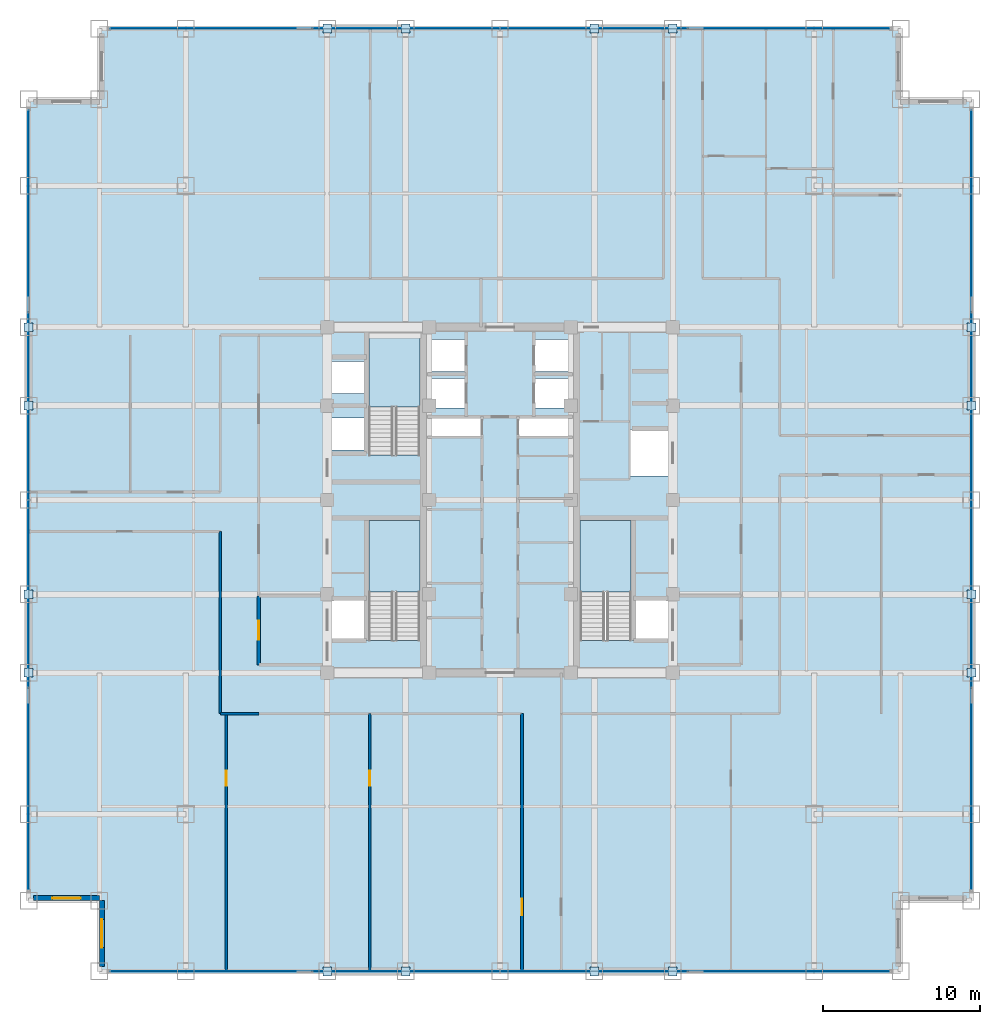
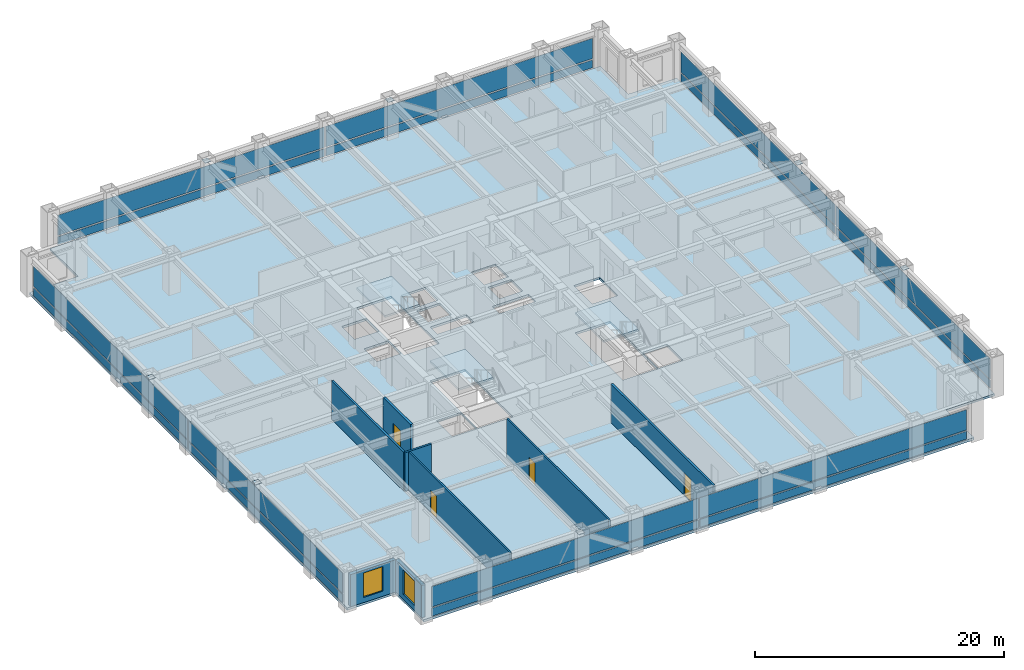
# One storey, part 19 of 24: 32 plates, 8 walls, 4 doors, 4 slabs, 2 windows, 6 openings, 7 elements without a shape of their own.
"""IFC4 building model written with IfcOpenShell, lengths in metres."""

import ifcopenshell
import ifcopenshell.guid

model = None  # the IFC model being written
_history = None  # IfcOwnerHistory: only IFC2X3 demands one
_inside = {}  # id of a spatial element -> (the spatial element, [elements in it])
_under = {}  # id of a project, library or spatial element -> (it, [spatial elements below it])
_declared = {}  # id of a project -> (the project, [libraries it declares])
_typed = {}  # id of a type object -> (the type object, [elements of that type])
_made_of = {}  # id of a material, layer set ... -> (it, [elements and type objects made of it])


def new_model(schema):
    """Start an empty IFC model of exactly this schema.

    Asked for "IFC4X3", IfcOpenShell would pick the latest addendum, in which some entities
    have other attributes; the version numbers below select the first issue.
    IFC2X3 requires an IfcOwnerHistory on every rooted entity: one is made here for all.
    """
    global model, _history
    if schema == "IFC4X3":
        model = ifcopenshell.file(schema_version=(4, 3, 0, 0))
    else:
        model = ifcopenshell.file(schema=schema)
    _inside.clear()
    _under.clear()
    _declared.clear()
    _typed.clear()
    _made_of.clear()
    _history = None
    if model.schema == "IFC2X3":
        org = make("IfcOrganization", Name="unknown")
        user = make(
            "IfcPersonAndOrganization",
            ThePerson=make("IfcPerson", FamilyName="unknown"),
            TheOrganization=org,
        )
        app = make(
            "IfcApplication",
            ApplicationDeveloper=org,
            Version="unknown",
            ApplicationFullName="unknown",
            ApplicationIdentifier="unknown",
        )
        _history = make(
            "IfcOwnerHistory",
            OwningUser=user,
            OwningApplication=app,
            ChangeAction="ADDED",
            CreationDate=0,
        )
    return model


def make(cls, **values):
    """One entity of the class cls with the attributes given. An attribute that is None is left unset."""
    return model.create_entity(
        cls, **{name: value for name, value in values.items() if value is not None}
    )


def rooted(cls, **values):
    """An entity with a GlobalId (a new one), such as an element, a storey or a relation."""
    return make(cls, GlobalId=ifcopenshell.guid.new(), OwnerHistory=_history, **values)


def si_unit(unit_type, name, prefix=None):
    """IfcSIUnit, for example si_unit("LENGTHUNIT", "METRE", prefix="MILLI")."""
    return make("IfcSIUnit", UnitType=unit_type, Prefix=prefix, Name=name)


def assignment(units):
    """IfcUnitAssignment: the units of a project."""
    return None if units is None else make("IfcUnitAssignment", Units=units)


def point(xyz):
    """IfcCartesianPoint."""
    return None if xyz is None else make("IfcCartesianPoint", Coordinates=xyz)


def direction(xyz):
    """IfcDirection."""
    return None if xyz is None else make("IfcDirection", DirectionRatios=xyz)


def frame(location, z_axis=None, x_axis=None):
    """IfcAxis2Placement3D, a coordinate frame: its origin and axes. An axis left out is left unset."""
    return make(
        "IfcAxis2Placement3D",
        Location=point(location),
        Axis=direction(z_axis),
        RefDirection=direction(x_axis),
    )


def frame_2d(location, x_axis=None):
    """IfcAxis2Placement2D, a coordinate frame in the plane: its origin and x axis."""
    return make(
        "IfcAxis2Placement2D", Location=point(location), RefDirection=direction(x_axis)
    )


def origin():
    """The frame at (0, 0, 0) with its axes left unset."""
    return frame((0.0, 0.0, 0.0))


def origin_2d():
    """The frame at (0, 0) in the plane with its x axis left unset."""
    return frame_2d((0.0, 0.0))


def place(relative_to, where):
    """IfcLocalPlacement: puts the frame where relative to a parent placement (None: the world)."""
    return make(
        "IfcLocalPlacement", PlacementRelTo=relative_to, RelativePlacement=where
    )


def context(
    kind, dimensions, precision=None, world=None, true_north=None, identifier=None
):
    """IfcGeometricRepresentationContext, for example the 3D "Model" context."""
    return make(
        "IfcGeometricRepresentationContext",
        ContextIdentifier=identifier,
        ContextType=kind,
        CoordinateSpaceDimension=dimensions,
        Precision=precision,
        WorldCoordinateSystem=world,
        TrueNorth=true_north,
    )


def subcontext(parent, identifier, kind, view, scale=None):
    """IfcGeometricRepresentationSubContext, for example "Body" below "Model"."""
    return make(
        "IfcGeometricRepresentationSubContext",
        ContextIdentifier=identifier,
        ContextType=kind,
        ParentContext=parent,
        TargetScale=scale,
        TargetView=view,
    )


def project(units=None, contexts=None):
    """IfcProject with its units and contexts."""
    return rooted(
        "IfcProject",
        Name="project",
        RepresentationContexts=contexts,
        UnitsInContext=assignment(units),
    )


def spatial(cls, under=None, at=None, **own):
    """A site, building, storey or space (cls), placed at a placement, below another one or the project."""
    s = rooted(cls, ObjectPlacement=at, **own)
    if under is not None:
        _under.setdefault(under.id(), (under, []))[1].append(s)
    return s


def polyline(points):
    """IfcPolyline through the points."""
    return make("IfcPolyline", Points=[point(p) for p in points])


def profile(cls, at=None, kind="AREA", **sizes):
    """A parametric profile (cls). Its sizes go by their IFC names, for example OverallWidth=200.0."""
    return make(cls, ProfileType=kind, Position=at, **sizes)


def rectangle(**sizes):
    """IfcRectangleProfileDef."""
    return profile("IfcRectangleProfileDef", **sizes)


def outline(outer, holes=None, kind="AREA"):
    """IfcArbitraryClosedProfileDef: a profile drawn as a closed curve; with holes, ...WithVoids."""
    if holes is None:
        return make("IfcArbitraryClosedProfileDef", ProfileType=kind, OuterCurve=outer)
    return make(
        "IfcArbitraryProfileDefWithVoids",
        ProfileType=kind,
        OuterCurve=outer,
        InnerCurves=holes,
    )


def extrude(swept, where, along, depth):
    """IfcExtrudedAreaSolid: the profile swept, set in the frame where, extruded along a direction by depth."""
    return make(
        "IfcExtrudedAreaSolid",
        SweptArea=swept,
        Position=where,
        ExtrudedDirection=direction(along),
        Depth=depth,
    )


def shape(context_of_items, identifier, shape_type, items):
    """IfcShapeRepresentation: the items that make up one representation, for example the "Body"."""
    return make(
        "IfcShapeRepresentation",
        ContextOfItems=context_of_items,
        RepresentationIdentifier=identifier,
        RepresentationType=shape_type,
        Items=items,
    )


def source(mapping_origin, context_of_items, identifier, shape_type, items):
    """IfcRepresentationMap: a shape defined once, which mapped items show again and again."""
    return make(
        "IfcRepresentationMap",
        MappingOrigin=mapping_origin,
        MappedRepresentation=shape(context_of_items, identifier, shape_type, items),
    )


def transform(
    local_origin,
    x_axis=None,
    y_axis=None,
    z_axis=None,
    scale=None,
    scale2=None,
    scale3=None,
    uniform=True,
):
    """IfcCartesianTransformationOperator3D, or its non-uniform kind. x_axis, y_axis, z_axis: its Axis1, 2, 3."""
    if uniform:
        return make(
            "IfcCartesianTransformationOperator3D",
            Axis1=direction(x_axis),
            Axis2=direction(y_axis),
            LocalOrigin=point(local_origin),
            Scale=scale,
            Axis3=direction(z_axis),
        )
    return make(
        "IfcCartesianTransformationOperator3DnonUniform",
        Axis1=direction(x_axis),
        Axis2=direction(y_axis),
        LocalOrigin=point(local_origin),
        Scale=scale,
        Axis3=direction(z_axis),
        Scale2=scale2,
        Scale3=scale3,
    )


def mapped(mapping_source, mapping_target):
    """IfcMappedItem: shows the shape of a source again, moved by a transform."""
    return make(
        "IfcMappedItem", MappingSource=mapping_source, MappingTarget=mapping_target
    )


def material(Name=None, Category=None):
    """IfcMaterial."""
    return make("IfcMaterial", Name=Name, Category=Category)


def layer(
    of_material, thickness, ventilated=None, Name=None, Category=None, Priority=None
):
    """IfcMaterialLayer: one layer of a wall or slab, of a material (None: an air gap)."""
    return make(
        "IfcMaterialLayer",
        Material=of_material,
        LayerThickness=thickness,
        IsVentilated=ventilated,
        Name=Name,
        Category=Category,
        Priority=Priority,
    )


def layer_set(layers, Name=None):
    """IfcMaterialLayerSet."""
    return make("IfcMaterialLayerSet", MaterialLayers=layers, LayerSetName=Name)


def made_of(thing, what):
    """Note that an element or type object is made of a material, layer set ...; save() writes the relation."""
    if what is not None:
        _made_of.setdefault(what.id(), (what, []))[1].append(thing)
    return thing


def type_object(cls, material=None, **own):
    """A type object (cls), such as IfcWallType, which elements share."""
    return made_of(rooted(cls, **own), material)


def element(
    cls,
    number,
    at=None,
    inside=None,
    cuts=None,
    type_object=None,
    material=None,
    context=None,
    identifier="Body",
    shape_type=None,
    held_by="IfcProductDefinitionShape",
    body=None,
    shapes=None,
    **own,
):
    """One element of the class cls, such as IfcWall. Its Tag is "e" and its number.

    at: its placement. inside: the storey or other place that contains it. cuts: it is an
    opening in that element (IfcRelVoidsElement). A single representation is given by context,
    identifier, shape_type and body (its items); several are given by shapes. held_by: the class
    of the entity that holds the representations. save() writes the other relations.
    """
    e = rooted(cls, Tag="e%d" % number, ObjectPlacement=at, **own)
    if body is not None:
        shapes = [shape(context, identifier, shape_type, body)]
    if shapes is not None:
        e.Representation = make(held_by, Representations=shapes)
    if inside is not None:
        _inside.setdefault(inside.id(), (inside, []))[1].append(e)
    if cuts is not None:
        rooted(
            "IfcRelVoidsElement", RelatingBuildingElement=cuts, RelatedOpeningElement=e
        )
    if type_object is not None:
        _typed.setdefault(type_object.id(), (type_object, []))[1].append(e)
    return made_of(e, material)


def fill(opening, filler):
    """IfcRelFillsElement: the door or window that sits in an opening."""
    return rooted(
        "IfcRelFillsElement",
        RelatingOpeningElement=opening,
        RelatedBuildingElement=filler,
    )


def aggregate(whole, parts):
    """IfcRelAggregates: a whole, such as a stair, and the parts it consists of."""
    return rooted("IfcRelAggregates", RelatingObject=whole, RelatedObjects=parts)


def save(model, path):
    """Write the relations noted so far, then the file.

    IfcRelAggregates (storeys below a building ...), IfcRelContainedInSpatialStructure (elements
    in a storey), IfcRelDefinesByType, IfcRelAssociatesMaterial and IfcRelDeclares: one each for
    every whole, place, type object, material and project.
    """
    for whole, parts in _under.values():
        aggregate(whole, parts)
    for where, things in _inside.values():
        rooted(
            "IfcRelContainedInSpatialStructure",
            RelatedElements=things,
            RelatingStructure=where,
        )
    for kind, things in _typed.values():
        rooted("IfcRelDefinesByType", RelatedObjects=things, RelatingType=kind)
    for what, things in _made_of.values():
        rooted("IfcRelAssociatesMaterial", RelatedObjects=things, RelatingMaterial=what)
    for by, libraries in _declared.values():
        rooted("IfcRelDeclares", RelatingContext=by, RelatedDefinitions=libraries)
    model.write(path)


model = new_model("IFC4")

# Units and contexts
model_context = context("Model", 3, precision=1e-05, world=origin(), true_north=direction((0.0, 1.0)))
body_context = subcontext(model_context, "Body", "Model", "MODEL_VIEW")
ifc_project = project(units=[si_unit("LENGTHUNIT", "METRE"), si_unit("AREAUNIT", "SQUARE_METRE"), si_unit("VOLUMEUNIT", "CUBIC_METRE"), si_unit("PLANEANGLEUNIT", "RADIAN"), si_unit("MASSUNIT", "GRAM", prefix="KILO")], contexts=[model_context])

# Site, building, storey
site_placement = place(None, origin())
site = spatial("IfcSite", under=ifc_project, at=site_placement, CompositionType="ELEMENT")
building_placement = place(site_placement, origin())
building = spatial("IfcBuilding", under=site, at=building_placement, Name="Khorayat Bourse Tower", CompositionType="ELEMENT")
storey_placement = place(building_placement, frame((0.0, 0.0, 203.10009765625)))
storey = spatial("IfcBuildingStorey", under=building, at=storey_placement, Name="L47", CompositionType="ELEMENT", Elevation=203.10009765625)

# Stair, slab
ifc_material_1 = material(Name="Concrete C40/50", Category="concrete")
stair_type = type_object("IfcStairType", Name="STR-CORE-1550", PredefinedType="HALF_TURN_STAIR", material=ifc_material_1)
stair_1_placement = place(storey_placement, origin())
stair_1 = element("IfcStair", 1, at=stair_1_placement, inside=storey, type_object=stair_type, Name="L47 Exit Stair ST-1", PredefinedType="HALF_TURN_STAIR")
ifc_layer_1 = layer(ifc_material_1, 0.199951171875)
ifc_layer_set_1 = layer_set([ifc_layer_1], Name="Concrete C40/50")
slab_type_1 = type_object("IfcSlabType", Name="SLB-LANDING-200", PredefinedType="LANDING", material=ifc_layer_set_1)
slab_1_placement = place(storey_placement, frame((0.0, 0.0, 1.7998046875)))
slab_1 = element("IfcSlab", 2, at=slab_1_placement, type_object=slab_type_1, Name="ST-1 landing 1", PredefinedType="LANDING", context=body_context, shape_type="SweptSolid", body=[
    extrude(outline(polyline([(-5.10009765625, -5.8701171875), (-5.10009765625, -1.300048828125), (-8.35009765625, -1.300048828125), (-8.35009765625, -5.8701171875), (-5.10009765625, -5.8701171875)])), origin(), (0.0, 0.0, 1.0), 0.2001953125),
])
aggregate(stair_1, [slab_1])

stair_2_placement = place(storey_placement, origin())
stair_2 = element("IfcStair", 3, at=stair_2_placement, inside=storey, type_object=stair_type, Name="L47 Exit Stair ST-2", PredefinedType="HALF_TURN_STAIR")
slab_2_placement = place(storey_placement, frame((0.0, 0.0, 1.7998046875)))
slab_2 = element("IfcSlab", 4, at=slab_2_placement, type_object=slab_type_1, Name="ST-2 landing 1", PredefinedType="LANDING", context=body_context, shape_type="SweptSolid", body=[
    extrude(outline(polyline([(-5.10009765625, 5.929931640625), (-5.10009765625, 10.5), (-8.35009765625, 10.5), (-8.35009765625, 5.929931640625), (-5.10009765625, 5.929931640625)])), origin(), (0.0, 0.0, 1.0), 0.2001953125),
])
aggregate(stair_2, [slab_2])

stair_3_placement = place(storey_placement, origin())
stair_3 = element("IfcStair", 5, at=stair_3_placement, inside=storey, type_object=stair_type, Name="L47 Exit Stair ST-3", PredefinedType="HALF_TURN_STAIR")
slab_3_placement = place(storey_placement, frame((0.0, 0.0, 1.7998046875)))
slab_3 = element("IfcSlab", 6, at=slab_3_placement, type_object=slab_type_1, Name="ST-3 landing 1", PredefinedType="LANDING", context=body_context, shape_type="SweptSolid", body=[
    extrude(outline(polyline([(8.35009765625, -5.8701171875), (8.35009765625, -1.300048828125), (5.10009765625, -1.300048828125), (5.10009765625, -5.8701171875), (8.35009765625, -5.8701171875)])), origin(), (0.0, 0.0, 1.0), 0.2001953125),
])
aggregate(stair_3, [slab_3])

# Slab
ifc_layer_2 = layer(ifc_material_1, 0.219970703125)
ifc_layer_set_2 = layer_set([ifc_layer_2], Name="Concrete C40/50")
slab_type_2 = type_object("IfcSlabType", Name="SLB-OFFICE-220", PredefinedType="FLOOR", material=ifc_layer_set_2)
slab_4_placement = place(storey_placement, frame((0.0, 0.0, -0.22021484375)))
element("IfcSlab", 7, at=slab_4_placement, inside=storey, type_object=slab_type_2, Name="L47 Main Floor Slab", PredefinedType="FLOOR", context=body_context, shape_type="SweptSolid", body=[
    extrude(outline(polyline([(-25.5, -30.0), (25.5, -30.0), (25.5, -25.5), (30.0, -25.5), (30.0, 25.5), (25.5, 25.5), (25.5, 30.0), (-25.5, 30.0), (-25.5, 25.5), (-30.0, 25.5), (-30.0, -25.5), (-25.5, -25.5), (-25.5, -30.0)]), holes=[polyline([(-8.35009765625, -8.945068359375), (-5.10009765625, -8.945068359375), (-5.10009765625, -1.300048828125), (-8.35009765625, -1.300048828125), (-8.35009765625, -8.945068359375)]), polyline([(-8.35009765625, 2.85498046875), (-5.10009765625, 2.85498046875), (-5.10009765625, 10.5), (-8.35009765625, 10.5), (-8.35009765625, 2.85498046875)]), polyline([(5.10009765625, -8.945068359375), (8.35009765625, -8.945068359375), (8.35009765625, -1.300048828125), (5.10009765625, -1.300048828125), (5.10009765625, -8.945068359375)]), polyline([(-4.3798828125, 8.169921875), (-2.1201171875, 8.169921875), (-2.1201171875, 10.22998046875), (-4.3798828125, 10.22998046875), (-4.3798828125, 8.169921875)]), polyline([(2.1201171875, 8.169921875), (4.3798828125, 8.169921875), (4.3798828125, 10.22998046875), (2.1201171875, 10.22998046875), (2.1201171875, 8.169921875)]), polyline([(-4.3798828125, 5.8701171875), (-2.219970703125, 5.8701171875), (-2.219970703125, 7.72998046875), (-4.3798828125, 7.72998046875), (-4.3798828125, 5.8701171875)]), polyline([(2.219970703125, 5.8701171875), (4.3798828125, 5.8701171875), (4.3798828125, 7.72998046875), (2.219970703125, 7.72998046875), (2.219970703125, 5.8701171875)]), polyline([(-10.679931640625, 3.169921875), (-8.419921875, 3.169921875), (-8.419921875, 5.22998046875), (-10.679931640625, 5.22998046875), (-10.679931640625, 3.169921875)]), polyline([(-10.679931640625, 6.77001953125), (-8.419921875, 6.77001953125), (-8.419921875, 8.830078125), (-10.679931640625, 8.830078125), (-10.679931640625, 6.77001953125)]), polyline([(-10.679931640625, -8.929931640625), (-8.419921875, -8.929931640625), (-8.419921875, -6.3701171875), (-10.679931640625, -6.3701171875), (-10.679931640625, -8.929931640625)]), polyline([(8.419921875, -8.929931640625), (10.679931640625, -8.929931640625), (10.679931640625, -6.3701171875), (8.419921875, -6.3701171875), (8.419921875, -8.929931640625)]), polyline([(8.320068359375, 1.52001953125), (10.679931640625, 1.52001953125), (10.679931640625, 4.47998046875), (8.320068359375, 4.47998046875), (8.320068359375, 1.52001953125)]), polyline([(-4.56005859375, 4.080078125), (-1.18994140625, 4.080078125), (-1.18994140625, 5.219970703125), (-4.56005859375, 5.219970703125), (-4.56005859375, 4.080078125)]), polyline([(1.18994140625, 4.080078125), (4.56005859375, 4.080078125), (4.56005859375, 5.219970703125), (1.18994140625, 5.219970703125), (1.18994140625, 4.080078125)])]), origin(), (0.0, 0.0, 1.0), 0.22021484375),
])

# Plates
ifc_material_2 = material(Name="Steel EN 10025-2 S355J2", Category="steel")
ifc_layer_3 = layer(ifc_material_2, 0.02490234375)
ifc_layer_set_3 = layer_set([ifc_layer_3], Name="Steel EN 10025-2 S355J2")
plate_type_1 = type_object("IfcPlateType", Name="PLT-ENDCAP-25", PredefinedType="SHEET", material=ifc_layer_set_3)
shared_shape_1 = source(origin(), body_context, "Body", "SweptSolid", [
    extrude(rectangle(XDim=0.56005859375, YDim=0.56005859375, at=origin_2d()), origin(), (0.0, 0.0, 1.0), 0.02490234375),
])
for number, where, z_axis, x_axis, name in (
    (8, (-11.0, -30.0, 3.517333984375), (0.0, 0.0, 1.0), (1.0, 0.0, 0.0), "L47 Perimeter Brace End Plate 001"),
    (9, (-6.0, -30.0, 0.237548828125), (0.0, 0.0, 1.0), (1.0, 0.0, 0.0), "L47 Perimeter Brace End Plate 002"),
    (10, (6.0, -30.0, 3.517333984375), (0.0, 0.0, 1.0), (1.0, 0.0, 0.0), "L47 Perimeter Brace End Plate 003"),
    (11, (11.0, -30.0, 0.237548828125), (0.0, 0.0, 1.0), (1.0, 0.0, 0.0), "L47 Perimeter Brace End Plate 004"),
    (12, (-11.0, 30.0, 3.517333984375), (0.0, 0.0, 1.0), (1.0, 0.0, 0.0), "L47 Perimeter Brace End Plate 005"),
    (13, (-6.0, 30.0, 0.237548828125), (0.0, 0.0, 1.0), (1.0, 0.0, 0.0), "L47 Perimeter Brace End Plate 006"),
    (14, (6.0, 30.0, 3.517333984375), (0.0, 0.0, 1.0), (1.0, 0.0, 0.0), "L47 Perimeter Brace End Plate 007"),
    (15, (11.0, 30.0, 0.237548828125), (0.0, 0.0, 1.0), (1.0, 0.0, 0.0), "L47 Perimeter Brace End Plate 008"),
    (16, (-30.0, -11.0, 3.517333984375), (0.0, 0.0, 1.0), (1.0, 0.0, 0.0), "L47 Perimeter Brace End Plate 009"),
    (17, (-30.0, -6.0, 0.237548828125), (0.0, 0.0, 1.0), (1.0, 0.0, 0.0), "L47 Perimeter Brace End Plate 010"),
    (18, (-30.0, 6.0, 3.517333984375), (0.0, 0.0, 1.0), (1.0, 0.0, 0.0), "L47 Perimeter Brace End Plate 011"),
    (19, (-30.0, 11.0, 0.237548828125), (0.0, 0.0, 1.0), (1.0, 0.0, 0.0), "L47 Perimeter Brace End Plate 012"),
    (20, (30.0, -11.0, 3.517333984375), (0.0, 0.0, 1.0), (1.0, 0.0, 0.0), "L47 Perimeter Brace End Plate 013"),
    (21, (30.0, -6.0, 0.237548828125), (0.0, 0.0, 1.0), (1.0, 0.0, 0.0), "L47 Perimeter Brace End Plate 014"),
    (22, (30.0, 6.0, 3.517333984375), (0.0, 0.0, 1.0), (1.0, 0.0, 0.0), "L47 Perimeter Brace End Plate 015"),
    (23, (30.0, 11.0, 0.237548828125), (0.0, 0.0, 1.0), (1.0, 0.0, 0.0), "L47 Perimeter Brace End Plate 016"),
):
    element("IfcPlate", number, at=place(storey_placement, frame(where, z_axis=z_axis, x_axis=x_axis)), inside=storey, type_object=plate_type_1, Name=name, PredefinedType="SHEET", context=body_context, shape_type="MappedRepresentation", body=[
        mapped(shared_shape_1, transform((0.0, 0.0, 0.0), scale=1.0)),
    ])

# Curtain wall, plates
ifc_material_3 = material(Name="Aluminium EN AW-6063 T6", Category="aluminium")
curtain_wall_type = type_object("IfcCurtainWallType", Name="CW-SYS-03", PredefinedType="NOTDEFINED", material=ifc_material_3)
curtain_wall_1_placement = place(storey_placement, origin())
curtain_wall_1 = element("IfcCurtainWall", 24, at=curtain_wall_1_placement, inside=storey, type_object=curtain_wall_type, Name="L47 Curtain Wall CW-L47-S1", PredefinedType="NOTDEFINED")
ifc_material_4 = material(Name="Honed desert limestone insulated spandrel", Category="masonry")
ifc_layer_4 = layer(ifc_material_4, 0.06494140625)
ifc_layer_set_4 = layer_set([ifc_layer_4], Name="Honed desert limestone insulated spandrel")
plate_type_2 = type_object("IfcPlateType", Name="CWP-SPAND-03", PredefinedType="CURTAIN_PANEL", material=ifc_layer_set_4)
shared_shape_2 = source(origin(), body_context, "Body", "SweptSolid", [
    extrude(rectangle(XDim=24.719970703125, YDim=0.06494140625, at=origin_2d()), origin(), (0.0, 0.0, 1.0), 0.77001953125),
])
plate_1_placement = place(storey_placement, frame((-12.419921875, -30.0, 0.119873046875), z_axis=(0.0, 0.0, 1.0), x_axis=(1.0, 0.0, 0.0)))
plate_1 = element("IfcPlate", 25, at=plate_1_placement, type_object=plate_type_2, Name="CW-L47-S1 Spandrel Panel 1-1", PredefinedType="CURTAIN_PANEL", context=body_context, shape_type="MappedRepresentation", body=[
    mapped(shared_shape_2, transform((0.0, 0.0, 0.0), scale=1.0)),
])
plate_2_placement = place(storey_placement, frame((12.419921875, -30.0, 0.119873046875), z_axis=(0.0, 0.0, 1.0), x_axis=(1.0, 0.0, 0.0)))
plate_2 = element("IfcPlate", 26, at=plate_2_placement, type_object=plate_type_2, Name="CW-L47-S1 Spandrel Panel 2-1", PredefinedType="CURTAIN_PANEL", context=body_context, shape_type="MappedRepresentation", body=[
    mapped(shared_shape_2, transform((0.0, 0.0, 0.0), scale=1.0)),
])

curtain_wall_2_placement = place(storey_placement, origin())
curtain_wall_2 = element("IfcCurtainWall", 27, at=curtain_wall_2_placement, inside=storey, type_object=curtain_wall_type, Name="L47 Curtain Wall CW-L47-N1", PredefinedType="NOTDEFINED")
plate_3_placement = place(storey_placement, frame((-12.419921875, 30.0, 0.119873046875), z_axis=(0.0, 0.0, 1.0), x_axis=(1.0, 0.0, 0.0)))
plate_3 = element("IfcPlate", 28, at=plate_3_placement, type_object=plate_type_2, Name="CW-L47-N1 Spandrel Panel 1-1", PredefinedType="CURTAIN_PANEL", context=body_context, shape_type="MappedRepresentation", body=[
    mapped(shared_shape_2, transform((0.0, 0.0, 0.0), scale=1.0)),
])
plate_4_placement = place(storey_placement, frame((12.419921875, 30.0, 0.119873046875), z_axis=(0.0, 0.0, 1.0), x_axis=(1.0, 0.0, 0.0)))
plate_4 = element("IfcPlate", 29, at=plate_4_placement, type_object=plate_type_2, Name="CW-L47-N1 Spandrel Panel 2-1", PredefinedType="CURTAIN_PANEL", context=body_context, shape_type="MappedRepresentation", body=[
    mapped(shared_shape_2, transform((0.0, 0.0, 0.0), scale=1.0)),
])

curtain_wall_3_placement = place(storey_placement, origin())
curtain_wall_3 = element("IfcCurtainWall", 30, at=curtain_wall_3_placement, inside=storey, type_object=curtain_wall_type, Name="L47 Curtain Wall CW-L47-W1", PredefinedType="NOTDEFINED")
plate_5_placement = place(storey_placement, frame((-30.0, -12.419921875, 0.119873046875), z_axis=(0.0, 0.0, 1.0), x_axis=(0.0, 1.0, 0.0)))
plate_5 = element("IfcPlate", 31, at=plate_5_placement, type_object=plate_type_2, Name="CW-L47-W1 Spandrel Panel 1-1", PredefinedType="CURTAIN_PANEL", context=body_context, shape_type="MappedRepresentation", body=[
    mapped(shared_shape_2, transform((0.0, 0.0, 0.0), scale=1.0)),
])
plate_6_placement = place(storey_placement, frame((-30.0, 12.419921875, 0.119873046875), z_axis=(0.0, 0.0, 1.0), x_axis=(0.0, 1.0, 0.0)))
plate_6 = element("IfcPlate", 32, at=plate_6_placement, type_object=plate_type_2, Name="CW-L47-W1 Spandrel Panel 2-1", PredefinedType="CURTAIN_PANEL", context=body_context, shape_type="MappedRepresentation", body=[
    mapped(shared_shape_2, transform((0.0, 0.0, 0.0), scale=1.0)),
])

curtain_wall_4_placement = place(storey_placement, origin())
curtain_wall_4 = element("IfcCurtainWall", 33, at=curtain_wall_4_placement, inside=storey, type_object=curtain_wall_type, Name="L47 Curtain Wall CW-L47-E1", PredefinedType="NOTDEFINED")
plate_7_placement = place(storey_placement, frame((30.0, -12.419921875, 0.119873046875), z_axis=(0.0, 0.0, 1.0), x_axis=(0.0, 1.0, 0.0)))
plate_7 = element("IfcPlate", 34, at=plate_7_placement, type_object=plate_type_2, Name="CW-L47-E1 Spandrel Panel 1-1", PredefinedType="CURTAIN_PANEL", context=body_context, shape_type="MappedRepresentation", body=[
    mapped(shared_shape_2, transform((0.0, 0.0, 0.0), scale=1.0)),
])
plate_8_placement = place(storey_placement, frame((30.0, 12.419921875, 0.119873046875), z_axis=(0.0, 0.0, 1.0), x_axis=(0.0, 1.0, 0.0)))
plate_8 = element("IfcPlate", 35, at=plate_8_placement, type_object=plate_type_2, Name="CW-L47-E1 Spandrel Panel 2-1", PredefinedType="CURTAIN_PANEL", context=body_context, shape_type="MappedRepresentation", body=[
    mapped(shared_shape_2, transform((0.0, 0.0, 0.0), scale=1.0)),
])

# Plate
ifc_material_5 = material(Name="Low-E solar-control laminated double glazing", Category="glass")
ifc_layer_5 = layer(ifc_material_5, 0.035888671875)
ifc_layer_set_5 = layer_set([ifc_layer_5], Name="Low-E solar-control laminated double glazing")
plate_type_3 = type_object("IfcPlateType", Name="CWP-VIS-01", PredefinedType="CURTAIN_PANEL", material=ifc_layer_set_5)
shared_shape_3 = source(origin(), body_context, "Body", "SweptSolid", [
    extrude(rectangle(XDim=24.719970703125, YDim=0.035888671875, at=origin_2d()), origin(), (0.0, 0.0, 1.0), 2.0),
])
plate_9_placement = place(storey_placement, frame((-12.419921875, -30.0, 1.010009765625), z_axis=(0.0, 0.0, 1.0), x_axis=(1.0, 0.0, 0.0)))
plate_9 = element("IfcPlate", 36, at=plate_9_placement, type_object=plate_type_3, Name="CW-L47-S1 Vision Panel 1-2", PredefinedType="CURTAIN_PANEL", context=body_context, shape_type="MappedRepresentation", body=[
    mapped(shared_shape_3, transform((0.0, 0.0, 0.0), scale=1.0)),
])

plate_10_placement = place(storey_placement, frame((12.419921875, -30.0, 1.010009765625), z_axis=(0.0, 0.0, 1.0), x_axis=(1.0, 0.0, 0.0)))
plate_10 = element("IfcPlate", 37, at=plate_10_placement, type_object=plate_type_3, Name="CW-L47-S1 Vision Panel 2-2", PredefinedType="CURTAIN_PANEL", context=body_context, shape_type="MappedRepresentation", body=[
    mapped(shared_shape_3, transform((0.0, 0.0, 0.0), scale=1.0)),
])

aggregate(curtain_wall_1, [plate_1, plate_9, plate_2, plate_10])

plate_11_placement = place(storey_placement, frame((-12.419921875, 30.0, 1.010009765625), z_axis=(0.0, 0.0, 1.0), x_axis=(1.0, 0.0, 0.0)))
plate_11 = element("IfcPlate", 38, at=plate_11_placement, type_object=plate_type_3, Name="CW-L47-N1 Vision Panel 1-2", PredefinedType="CURTAIN_PANEL", context=body_context, shape_type="MappedRepresentation", body=[
    mapped(shared_shape_3, transform((0.0, 0.0, 0.0), scale=1.0)),
])

plate_12_placement = place(storey_placement, frame((12.419921875, 30.0, 1.010009765625), z_axis=(0.0, 0.0, 1.0), x_axis=(1.0, 0.0, 0.0)))
plate_12 = element("IfcPlate", 39, at=plate_12_placement, type_object=plate_type_3, Name="CW-L47-N1 Vision Panel 2-2", PredefinedType="CURTAIN_PANEL", context=body_context, shape_type="MappedRepresentation", body=[
    mapped(shared_shape_3, transform((0.0, 0.0, 0.0), scale=1.0)),
])

aggregate(curtain_wall_2, [plate_3, plate_11, plate_4, plate_12])

plate_13_placement = place(storey_placement, frame((-30.0, -12.419921875, 1.010009765625), z_axis=(0.0, 0.0, 1.0), x_axis=(0.0, 1.0, 0.0)))
plate_13 = element("IfcPlate", 40, at=plate_13_placement, type_object=plate_type_3, Name="CW-L47-W1 Vision Panel 1-2", PredefinedType="CURTAIN_PANEL", context=body_context, shape_type="MappedRepresentation", body=[
    mapped(shared_shape_3, transform((0.0, 0.0, 0.0), scale=1.0)),
])

plate_14_placement = place(storey_placement, frame((-30.0, 12.419921875, 1.010009765625), z_axis=(0.0, 0.0, 1.0), x_axis=(0.0, 1.0, 0.0)))
plate_14 = element("IfcPlate", 41, at=plate_14_placement, type_object=plate_type_3, Name="CW-L47-W1 Vision Panel 2-2", PredefinedType="CURTAIN_PANEL", context=body_context, shape_type="MappedRepresentation", body=[
    mapped(shared_shape_3, transform((0.0, 0.0, 0.0), scale=1.0)),
])

aggregate(curtain_wall_3, [plate_5, plate_13, plate_6, plate_14])

plate_15_placement = place(storey_placement, frame((30.0, -12.419921875, 1.010009765625), z_axis=(0.0, 0.0, 1.0), x_axis=(0.0, 1.0, 0.0)))
plate_15 = element("IfcPlate", 42, at=plate_15_placement, type_object=plate_type_3, Name="CW-L47-E1 Vision Panel 1-2", PredefinedType="CURTAIN_PANEL", context=body_context, shape_type="MappedRepresentation", body=[
    mapped(shared_shape_3, transform((0.0, 0.0, 0.0), scale=1.0)),
])

plate_16_placement = place(storey_placement, frame((30.0, 12.419921875, 1.010009765625), z_axis=(0.0, 0.0, 1.0), x_axis=(0.0, 1.0, 0.0)))
plate_16 = element("IfcPlate", 43, at=plate_16_placement, type_object=plate_type_3, Name="CW-L47-E1 Vision Panel 2-2", PredefinedType="CURTAIN_PANEL", context=body_context, shape_type="MappedRepresentation", body=[
    mapped(shared_shape_3, transform((0.0, 0.0, 0.0), scale=1.0)),
])

aggregate(curtain_wall_4, [plate_7, plate_15, plate_8, plate_16])

# Wall, opening, window
ifc_material_6 = material(Name="Precast concrete C45/55", Category="concrete")
ifc_layer_6 = layer(ifc_material_6, 0.320068359375)
ifc_layer_set_6 = layer_set([ifc_layer_6], Name="Precast concrete C45/55")
wall_type_1 = type_object("IfcWallType", Name="WAL-EXT-STONE-320", PredefinedType="STANDARD", material=ifc_layer_set_6)
shared_shape_4 = source(origin(), body_context, "Body", "SweptSolid", [
    extrude(rectangle(XDim=4.179931640625, YDim=0.320068359375, at=frame_2d((2.08984375, 0.0))), origin(), (0.0, 0.0, 1.0), 3.163818359375),
])
wall_1_placement = place(storey_placement, frame((-25.5, -25.340087890625, 0.0), z_axis=(0.0, 0.0, 1.0), x_axis=(-1.0, 0.0, 0.0)))
wall_1 = element("IfcWall", 44, at=wall_1_placement, inside=storey, type_object=wall_type_1, Name="L47 Re-Entrant Notch Limestone Wall SW-H", PredefinedType="STANDARD", context=body_context, shape_type="MappedRepresentation", body=[
    mapped(shared_shape_4, transform((0.0, 0.0, 0.0), scale=1.0)),
])
shared_shape_5 = source(origin(), body_context, "Body", "SweptSolid", [
    extrude(rectangle(XDim=1.800048828125, YDim=2.39990234375, at=frame_2d((0.89990234375, 1.199951171875))), frame((0.0, 0.169921875, 0.0), z_axis=(0.0, -1.0, 0.0), x_axis=(1.0, 0.0, 0.0)), (0.0, 0.0, 1.0), 0.340087890625),
])
opening_1_placement = place(wall_1_placement, frame((1.18994140625, 0.0, 0.5)))
opening_1 = element("IfcOpeningElement", 45, at=opening_1_placement, cuts=wall_1, Name="Opening WN-04", PredefinedType="OPENING", context=body_context, shape_type="MappedRepresentation", body=[
    mapped(shared_shape_5, transform((0.0, 0.0, 0.0), scale=1.0)),
])
ifc_material_7 = material(Name="Low-E acoustic laminated double glazing", Category="glass")
window_type = type_object("IfcWindowType", Name="WIN-NOTCH-1800x2400", PartitioningType="SINGLE_PANEL", PredefinedType="WINDOW", material=ifc_material_7)
shared_shape_6 = source(origin(), body_context, "Body", "SweptSolid", [
    extrude(rectangle(XDim=1.800048828125, YDim=2.39990234375, at=frame_2d((0.89990234375, 1.199951171875))), frame((0.0, 0.030029296875, 0.0), z_axis=(0.0, -1.0, 0.0), x_axis=(1.0, 0.0, 0.0)), (0.0, 0.0, 1.0), 0.06005859375),
])
window_1_placement = place(opening_1_placement, origin())
window_1 = element("IfcWindow", 46, at=window_1_placement, inside=storey, type_object=window_type, Name="L47 Facade Window 1", OverallHeight=2.39990234375, OverallWidth=1.800048828125, PartitioningType="SINGLE_PANEL", PredefinedType="WINDOW", context=body_context, shape_type="MappedRepresentation", body=[
    mapped(shared_shape_6, transform((0.0, 0.0, 0.0), scale=1.0)),
])
fill(opening_1, window_1)

wall_2_placement = place(storey_placement, frame((-25.340087890625, -29.679931640625, 0.0), z_axis=(0.0, 0.0, 1.0), x_axis=(0.0, 1.0, 0.0)))
wall_2 = element("IfcWall", 47, at=wall_2_placement, inside=storey, type_object=wall_type_1, Name="L47 Re-Entrant Notch Limestone Wall SW-V", PredefinedType="STANDARD", context=body_context, shape_type="MappedRepresentation", body=[
    mapped(shared_shape_4, transform((0.0, 0.0, 0.0), scale=1.0)),
])
opening_2_placement = place(wall_2_placement, frame((1.18994140625, 0.0, 0.5)))
opening_2 = element("IfcOpeningElement", 48, at=opening_2_placement, cuts=wall_2, Name="Opening WN-04", PredefinedType="OPENING", context=body_context, shape_type="MappedRepresentation", body=[
    mapped(shared_shape_5, transform((0.0, 0.0, 0.0), scale=1.0)),
])
window_2_placement = place(opening_2_placement, origin())
window_2 = element("IfcWindow", 49, at=window_2_placement, inside=storey, type_object=window_type, Name="L47 Facade Window 1", OverallHeight=2.39990234375, OverallWidth=1.800048828125, PartitioningType="SINGLE_PANEL", PredefinedType="WINDOW", context=body_context, shape_type="MappedRepresentation", body=[
    mapped(shared_shape_6, transform((0.0, 0.0, 0.0), scale=1.0)),
])
fill(opening_2, window_2)

# Wall, opening, door
ifc_material_8 = material(Name="Aerated concrete blockwork", Category="masonry")
ifc_layer_7 = layer(ifc_material_8, 0.219970703125)
ifc_layer_set_7 = layer_set([ifc_layer_7], Name="Aerated concrete blockwork")
wall_type_2 = type_object("IfcWallType", Name="WAL-PART-FF-220", PredefinedType="PARTITIONING", material=ifc_layer_set_7)
shared_shape_7 = source(origin(), body_context, "Body", "SweptSolid", [
    extrude(rectangle(XDim=4.39990234375, YDim=0.219970703125, at=frame_2d((2.199951171875, 0.0))), origin(), (0.0, 0.0, 1.0), 3.77978515625),
])
wall_3_placement = place(storey_placement, frame((-15.35009765625, -10.5, 0.0), z_axis=(0.0, 0.0, 1.0), x_axis=(0.0, 1.0, 0.0)))
wall_3 = element("IfcWall", 50, at=wall_3_placement, inside=storey, type_object=wall_type_2, Name="L47 Partition WAL-L47-FFLW-W", PredefinedType="PARTITIONING", context=body_context, shape_type="MappedRepresentation", body=[
    mapped(shared_shape_7, transform((0.0, 0.0, 0.0), scale=1.0)),
])
shared_shape_8 = source(origin(), body_context, "Body", "SweptSolid", [
    extrude(rectangle(XDim=1.199951171875, YDim=2.199951171875, at=frame_2d((0.60009765625, 1.10009765625))), frame((0.0, 0.119873046875, 0.0), z_axis=(0.0, -1.0, 0.0), x_axis=(1.0, 0.0, 0.0)), (0.0, 0.0, 1.0), 0.239990234375),
])
opening_3_placement = place(wall_3_placement, frame((1.60009765625, 0.0, 0.0)))
opening_3 = element("IfcOpeningElement", 51, at=opening_3_placement, cuts=wall_3, Name="Opening DI-02", PredefinedType="OPENING", context=body_context, shape_type="MappedRepresentation", body=[
    mapped(shared_shape_8, transform((0.0, 0.0, 0.0), scale=1.0)),
])
ifc_material_9 = material(Name="Fire-rated steel double-seal leaf", Category="steel")
door_type_1 = type_object("IfcDoorType", Name="DR-INT-FFLOBBY-1200", OperationType="NOTDEFINED", PredefinedType="DOOR", material=ifc_material_9)
shared_shape_9 = source(origin(), body_context, "Body", "SweptSolid", [
    extrude(rectangle(XDim=1.199951171875, YDim=2.199951171875, at=frame_2d((0.60009765625, 1.10009765625))), frame((0.0, 0.02490234375, 0.0), z_axis=(0.0, -1.0, 0.0), x_axis=(1.0, 0.0, 0.0)), (0.0, 0.0, 1.0), 0.050048828125),
])
door_1_placement = place(opening_3_placement, origin())
door_1 = element("IfcDoor", 52, at=door_1_placement, inside=storey, type_object=door_type_1, Name="L47 West Firefighting Lobby Door", OperationType="SINGLE_SWING_LEFT", OverallHeight=2.199951171875, OverallWidth=1.199951171875, PredefinedType="DOOR", context=body_context, shape_type="MappedRepresentation", body=[
    mapped(shared_shape_9, transform((0.0, 0.0, 0.0), scale=1.0)),
])
fill(opening_3, door_1)

# Wall
ifc_material_10 = material(Name="Gypsum plasterboard acoustic stud wall")
ifc_layer_8 = layer(ifc_material_10, 0.179931640625)
ifc_layer_set_8 = layer_set([ifc_layer_8], Name="Gypsum plasterboard acoustic stud wall")
wall_type_3 = type_object("IfcWallType", Name="WAL-PART-CORR-180", PredefinedType="PARTITIONING", material=ifc_layer_set_8)
shared_shape_10 = source(origin(), body_context, "Body", "SweptSolid", [
    extrude(rectangle(XDim=2.449951171875, YDim=0.179931640625, at=frame_2d((1.22509765625, 0.0))), origin(), (0.0, 0.0, 1.0), 3.77978515625),
])
wall_4_placement = place(storey_placement, frame((-17.800048828125, -13.60009765625, 0.0), z_axis=(0.0, 0.0, 1.0), x_axis=(1.0, 0.0, 0.0)))
element("IfcWall", 53, at=wall_4_placement, inside=storey, type_object=wall_type_3, Name="L47 Partition WAL-L47-C2-WS", PredefinedType="PARTITIONING", context=body_context, shape_type="MappedRepresentation", body=[
    mapped(shared_shape_10, transform((0.0, 0.0, 0.0), scale=1.0)),
])

# Wall, opening, door
ifc_material_11 = material(Name="Gypsum plasterboard twin-frame partition")
ifc_layer_9 = layer(ifc_material_11, 0.14990234375)
ifc_layer_set_9 = layer_set([ifc_layer_9], Name="Gypsum plasterboard twin-frame partition")
wall_type_4 = type_object("IfcWallType", Name="WAL-PART-SUITE-150", PredefinedType="PARTITIONING", material=ifc_layer_set_9)
shared_shape_11 = source(origin(), body_context, "Body", "SweptSolid", [
    extrude(rectangle(XDim=16.39990234375, YDim=0.14990234375, at=frame_2d((8.199951171875, 0.0))), origin(), (0.0, 0.0, 1.0), 3.77978515625),
])
wall_5_placement = place(storey_placement, frame((-17.429931640625, -30.0, 0.0), z_axis=(0.0, 0.0, 1.0), x_axis=(0.0, 1.0, 0.0)))
wall_5 = element("IfcWall", 54, at=wall_5_placement, inside=storey, type_object=wall_type_4, Name="L47 Partition WAL-L47-QSWDV-1", PredefinedType="PARTITIONING", context=body_context, shape_type="MappedRepresentation", body=[
    mapped(shared_shape_11, transform((0.0, 0.0, 0.0), scale=1.0)),
])
shared_shape_12 = source(origin(), body_context, "Body", "SweptSolid", [
    extrude(rectangle(XDim=0.949951171875, YDim=2.14990234375, at=frame_2d((0.47509765625, 1.074951171875))), frame((0.0, 0.0849609375, 0.0), z_axis=(0.0, -1.0, 0.0), x_axis=(1.0, 0.0, 0.0)), (0.0, 0.0, 1.0), 0.169921875),
])
opening_4_placement = place(wall_5_placement, frame((11.824951171875, 0.0, 0.0)))
opening_4 = element("IfcOpeningElement", 55, at=opening_4_placement, cuts=wall_5, Name="Opening DI-05", PredefinedType="OPENING", context=body_context, shape_type="MappedRepresentation", body=[
    mapped(shared_shape_12, transform((0.0, 0.0, 0.0), scale=1.0)),
])
ifc_material_12 = material(Name="Acoustic oak veneer office door")
door_type_2 = type_object("IfcDoorType", Name="DR-INT-OFFICE-950", OperationType="NOTDEFINED", PredefinedType="DOOR", material=ifc_material_12)
shared_shape_13 = source(origin(), body_context, "Body", "SweptSolid", [
    extrude(rectangle(XDim=0.949951171875, YDim=2.14990234375, at=frame_2d((0.47509765625, 1.074951171875))), frame((0.0, 0.02490234375, 0.0), z_axis=(0.0, -1.0, 0.0), x_axis=(1.0, 0.0, 0.0)), (0.0, 0.0, 1.0), 0.050048828125),
])
door_2_placement = place(opening_4_placement, origin())
door_2 = element("IfcDoor", 56, at=door_2_placement, inside=storey, type_object=door_type_2, Name="L47 South-West Suite Link 1", OperationType="SINGLE_SWING_RIGHT", OverallHeight=2.14990234375, OverallWidth=0.949951171875, PredefinedType="DOOR", context=body_context, shape_type="MappedRepresentation", body=[
    mapped(shared_shape_13, transform((0.0, 0.0, 0.0), scale=1.0)),
])
fill(opening_4, door_2)

wall_6_placement = place(storey_placement, frame((-8.283935546875, -30.0, 0.0), z_axis=(0.0, 0.0, 1.0), x_axis=(0.0, 1.0, 0.0)))
wall_6 = element("IfcWall", 57, at=wall_6_placement, inside=storey, type_object=wall_type_4, Name="L47 Partition WAL-L47-QSWDV-2", PredefinedType="PARTITIONING", context=body_context, shape_type="MappedRepresentation", body=[
    mapped(shared_shape_11, transform((0.0, 0.0, 0.0), scale=1.0)),
])
opening_5_placement = place(wall_6_placement, frame((11.824951171875, 0.0, 0.0)))
opening_5 = element("IfcOpeningElement", 58, at=opening_5_placement, cuts=wall_6, Name="Opening DI-05", PredefinedType="OPENING", context=body_context, shape_type="MappedRepresentation", body=[
    mapped(shared_shape_12, transform((0.0, 0.0, 0.0), scale=1.0)),
])
door_3_placement = place(opening_5_placement, origin())
door_3 = element("IfcDoor", 59, at=door_3_placement, inside=storey, type_object=door_type_2, Name="L47 South-West Suite Link 2", OperationType="SINGLE_SWING_LEFT", OverallHeight=2.14990234375, OverallWidth=0.949951171875, PredefinedType="DOOR", context=body_context, shape_type="MappedRepresentation", body=[
    mapped(shared_shape_13, transform((0.0, 0.0, 0.0), scale=1.0)),
])
fill(opening_5, door_3)

shared_shape_14 = source(origin(), body_context, "Body", "SweptSolid", [
    extrude(rectangle(XDim=16.39990234375, YDim=0.179931640625, at=frame_2d((8.199951171875, 0.0))), origin(), (0.0, 0.0, 1.0), 3.77978515625),
])
wall_7_placement = place(storey_placement, frame((1.39990234375, -30.0, 0.0), z_axis=(0.0, 0.0, 1.0), x_axis=(0.0, 1.0, 0.0)))
wall_7 = element("IfcWall", 60, at=wall_7_placement, inside=storey, type_object=wall_type_3, Name="L47 Partition WAL-L47-QSW-SPK", PredefinedType="PARTITIONING", context=body_context, shape_type="MappedRepresentation", body=[
    mapped(shared_shape_14, transform((0.0, 0.0, 0.0), scale=1.0)),
])
shared_shape_15 = source(origin(), body_context, "Body", "SweptSolid", [
    extrude(rectangle(XDim=1.050048828125, YDim=2.199951171875, at=frame_2d((0.52490234375, 1.10009765625))), frame((0.0, 0.099853515625, 0.0), z_axis=(0.0, -1.0, 0.0), x_axis=(1.0, 0.0, 0.0)), (0.0, 0.0, 1.0), 0.199951171875),
])
opening_6_placement = place(wall_7_placement, frame((3.574951171875, 0.0, 0.0)))
opening_6 = element("IfcOpeningElement", 61, at=opening_6_placement, cuts=wall_7, Name="Opening DI-04", PredefinedType="OPENING", context=body_context, shape_type="MappedRepresentation", body=[
    mapped(shared_shape_15, transform((0.0, 0.0, 0.0), scale=1.0)),
])
ifc_material_13 = material(Name="Fire-rated oak veneer suite entrance door")
door_type_3 = type_object("IfcDoorType", Name="DR-INT-SUITE-1050", OperationType="NOTDEFINED", PredefinedType="DOOR", material=ifc_material_13)
shared_shape_16 = source(origin(), body_context, "Body", "SweptSolid", [
    extrude(rectangle(XDim=1.050048828125, YDim=2.199951171875, at=frame_2d((0.52490234375, 1.10009765625))), frame((0.0, 0.02490234375, 0.0), z_axis=(0.0, -1.0, 0.0), x_axis=(1.0, 0.0, 0.0)), (0.0, 0.0, 1.0), 0.050048828125),
])
door_4_placement = place(opening_6_placement, origin())
door_4 = element("IfcDoor", 62, at=door_4_placement, inside=storey, type_object=door_type_3, Name="L47 South-West Radial Spoke Entry", OperationType="SINGLE_SWING_LEFT", OverallHeight=2.199951171875, OverallWidth=1.050048828125, PredefinedType="DOOR", context=body_context, shape_type="MappedRepresentation", body=[
    mapped(shared_shape_16, transform((0.0, 0.0, 0.0), scale=1.0)),
])
fill(opening_6, door_4)

# Wall
shared_shape_17 = source(origin(), body_context, "Body", "SweptSolid", [
    extrude(rectangle(XDim=11.60009765625, YDim=0.179931640625, at=frame_2d((5.800048828125, 0.0))), origin(), (0.0, 0.0, 1.0), 3.77978515625),
])
wall_8_placement = place(storey_placement, frame((-17.800048828125, -13.60009765625, 0.0), z_axis=(0.0, 0.0, 1.0), x_axis=(0.0, 1.0, 0.0)))
element("IfcWall", 63, at=wall_8_placement, inside=storey, type_object=wall_type_3, Name="L47 Partition WAL-L47-WS-IN", PredefinedType="PARTITIONING", context=body_context, shape_type="MappedRepresentation", body=[
    mapped(shared_shape_17, transform((0.0, 0.0, 0.0), scale=1.0)),
])

save(model, "model.ifc")
